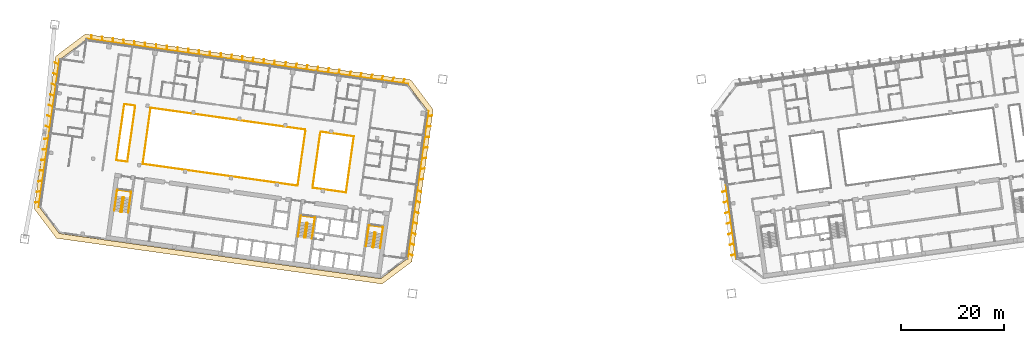
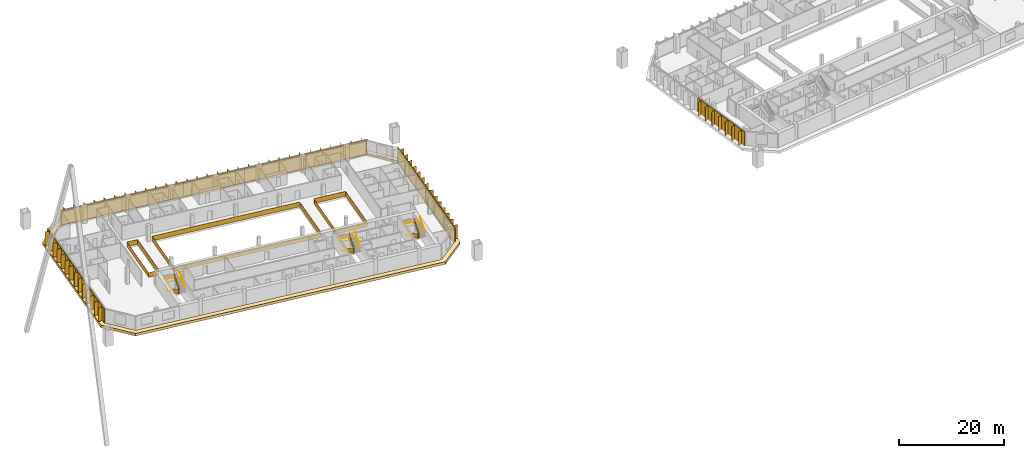
# One storey, part 32 of 33: 11 railings, 10 shading devices, 1 covering.
"""IFC4 building model written with IfcOpenShell, lengths in metres."""

from ifc_helpers import new_model, si_unit, direction, frame, origin, origin_2d, place, context, subcontext, project, spatial, polyline, rectangle, outline, extrude, material, layer, layer_set, type_object, element, save


model = new_model("IFC4")

# Units and contexts
model_context = context("Model", 3, precision=1e-05, world=origin(), true_north=direction((0.0, 1.0)))
body_context = subcontext(model_context, "Body", "Model", "MODEL_VIEW")
ifc_project = project(units=[si_unit("LENGTHUNIT", "METRE"), si_unit("AREAUNIT", "SQUARE_METRE"), si_unit("VOLUMEUNIT", "CUBIC_METRE"), si_unit("PLANEANGLEUNIT", "RADIAN"), si_unit("MASSUNIT", "GRAM", prefix="KILO")], contexts=[model_context])

# Site, building, storey
site_placement = place(None, origin())
site = spatial("IfcSite", under=ifc_project, at=site_placement, CompositionType="ELEMENT")
building_placement = place(site_placement, origin())
building = spatial("IfcBuilding", under=site, at=building_placement, Name="Mirante Cascada Hotel Towers", CompositionType="ELEMENT")
storey_placement = place(building_placement, frame((0.0, 0.0, 121.5)))
storey = spatial("IfcBuildingStorey", under=building, at=storey_placement, Name="L27", CompositionType="ELEMENT", Elevation=121.5)

# Railings
ifc_material_1 = material(Name="Toughened glass with stainless steel handrail", Category="steel")
railing_type_1 = type_object("IfcRailingType", Name="Atrium guard 1100 glass balustrade", PredefinedType="GUARDRAIL", material=ifc_material_1)
railing_1_placement = place(storey_placement, frame((-48.76, 8.3112, 0.0)))
element("IfcRailing", 1, at=railing_1_placement, inside=storey, type_object=railing_type_1, Name="GUARD 1-L27-1", PredefinedType="GUARDRAIL", context=body_context, shape_type="SweptSolid", body=[
    extrude(rectangle(XDim=0.048, YDim=0.048, at=origin_2d()), frame((0.0, 0.0, 1.076), z_axis=(0.9902694, -0.1391638, 0.0), x_axis=(0.1391638, 0.9902694, 0.0)), (0.0, 0.0, 1.0), 6.5125),
    extrude(rectangle(XDim=0.02, YDim=1.052, at=origin_2d()), frame((0.0, 0.0, 0.526), z_axis=(0.9902694, -0.1391638, 0.0), x_axis=(0.1391638, 0.9902694, 0.0)), (0.0, 0.0, 1.0), 6.5125),
    extrude(rectangle(XDim=0.048, YDim=0.048, at=origin_2d()), frame((6.4491, -0.9063, 1.076), z_axis=(-0.1391721, -0.9902682, 0.0), x_axis=(0.9902682, -0.1391721, 0.0)), (0.0, 0.0, 1.0), 11.0001),
    extrude(rectangle(XDim=0.02, YDim=1.052, at=origin_2d()), frame((6.4491, -0.9063, 0.526), z_axis=(-0.1391721, -0.9902682, 0.0), x_axis=(0.9902682, -0.1391721, 0.0)), (0.0, 0.0, 1.0), 11.0001),
    extrude(rectangle(XDim=0.048, YDim=0.048, at=origin_2d()), frame((4.9182, -11.7993, 1.076), z_axis=(-0.9902673, 0.1391788, 0.0), x_axis=(-0.1391788, -0.9902673, 0.0)), (0.0, 0.0, 1.0), 6.5125),
    extrude(rectangle(XDim=0.02, YDim=1.052, at=origin_2d()), frame((4.9182, -11.7993, 0.526), z_axis=(-0.9902673, 0.1391788, 0.0), x_axis=(-0.1391788, -0.9902673, 0.0)), (0.0, 0.0, 1.0), 6.5125),
])
railing_2_placement = place(storey_placement, frame((-53.2617, -2.1642, 0.0)))
element("IfcRailing", 2, at=railing_2_placement, inside=storey, type_object=railing_type_1, Name="GUARD 1-L27-2", PredefinedType="GUARDRAIL", context=body_context, shape_type="SweptSolid", body=[
    extrude(rectangle(XDim=0.048, YDim=0.048, at=origin_2d()), frame((0.0, 0.0, 1.076), z_axis=(-0.9902682, 0.1391722, 0.0), x_axis=(-0.1391722, -0.9902682, 0.0)), (0.0, 0.0, 1.0), 30.325),
    extrude(rectangle(XDim=0.02, YDim=1.052, at=origin_2d()), frame((0.0, 0.0, 0.526), z_axis=(-0.9902682, 0.1391722, 0.0), x_axis=(-0.1391722, -0.9902682, 0.0)), (0.0, 0.0, 1.0), 30.325),
    extrude(rectangle(XDim=0.048, YDim=0.048, at=origin_2d()), frame((-30.0299, 4.2204, 1.076), z_axis=(0.1391721, 0.9902682, 0.0), x_axis=(-0.9902682, 0.1391721, 0.0)), (0.0, 0.0, 1.0), 11.0001),
    extrude(rectangle(XDim=0.02, YDim=1.052, at=origin_2d()), frame((-30.0299, 4.2204, 0.526), z_axis=(0.1391721, 0.9902682, 0.0), x_axis=(-0.9902682, 0.1391721, 0.0)), (0.0, 0.0, 1.0), 11.0001),
    extrude(rectangle(XDim=0.048, YDim=0.048, at=origin_2d()), frame((-28.499, 15.1134, 1.076), z_axis=(0.9902682, -0.1391722, 0.0), x_axis=(0.1391722, 0.9902682, 0.0)), (0.0, 0.0, 1.0), 30.325),
    extrude(rectangle(XDim=0.02, YDim=1.052, at=origin_2d()), frame((-28.499, 15.1134, 0.526), z_axis=(0.9902682, -0.1391722, 0.0), x_axis=(0.1391722, 0.9902682, 0.0)), (0.0, 0.0, 1.0), 30.325),
])
railing_3_placement = place(storey_placement, frame((-86.2624, 2.4738, 0.0)))
element("IfcRailing", 3, at=railing_3_placement, inside=storey, type_object=railing_type_1, Name="GUARD 1-L27-3", PredefinedType="GUARDRAIL", context=body_context, shape_type="SweptSolid", body=[
    extrude(rectangle(XDim=0.048, YDim=0.048, at=origin_2d()), frame((0.0, 0.0, 1.076), z_axis=(-0.9902724, 0.1391422, 0.0), x_axis=(-0.1391422, -0.9902724, 0.0)), (0.0, 0.0, 1.0), 2.1625),
    extrude(rectangle(XDim=0.02, YDim=1.052, at=origin_2d()), frame((0.0, 0.0, 0.526), z_axis=(-0.9902724, 0.1391422, 0.0), x_axis=(-0.1391422, -0.9902724, 0.0)), (0.0, 0.0, 1.0), 2.1625),
    extrude(rectangle(XDim=0.048, YDim=0.048, at=origin_2d()), frame((-2.1415, 0.3009, 1.076), z_axis=(0.1391721, 0.9902682, 0.0), x_axis=(-0.9902682, 0.1391721, 0.0)), (0.0, 0.0, 1.0), 11.0001),
    extrude(rectangle(XDim=0.02, YDim=1.052, at=origin_2d()), frame((-2.1415, 0.3009, 0.526), z_axis=(0.1391721, 0.9902682, 0.0), x_axis=(-0.9902682, 0.1391721, 0.0)), (0.0, 0.0, 1.0), 11.0001),
    extrude(rectangle(XDim=0.048, YDim=0.048, at=origin_2d()), frame((-0.6106, 11.1939, 1.076), z_axis=(0.990266, -0.1391875, 0.0), x_axis=(0.1391875, 0.990266, 0.0)), (0.0, 0.0, 1.0), 2.1626),
    extrude(rectangle(XDim=0.02, YDim=1.052, at=origin_2d()), frame((-0.6106, 11.1939, 0.526), z_axis=(0.990266, -0.1391875, 0.0), x_axis=(0.1391875, 0.990266, 0.0)), (0.0, 0.0, 1.0), 2.1626),
    extrude(rectangle(XDim=0.048, YDim=0.048, at=origin_2d()), frame((1.5309, 10.8929, 1.076), z_axis=(-0.1391733, -0.990268, 0.0), x_axis=(0.990268, -0.1391733, 0.0)), (0.0, 0.0, 1.0), 11.0),
    extrude(rectangle(XDim=0.02, YDim=1.052, at=origin_2d()), frame((1.5309, 10.8929, 0.526), z_axis=(-0.1391733, -0.990268, 0.0), x_axis=(0.990268, -0.1391733, 0.0)), (0.0, 0.0, 1.0), 11.0),
])
railing_4_placement = place(storey_placement, frame((-53.172, -1.8782, 0.0)))
element("IfcRailing", 4, at=railing_4_placement, inside=storey, type_object=railing_type_1, Name="GUARD 1-L27-4", PredefinedType="GUARDRAIL", context=body_context, shape_type="SweptSolid", body=[
    extrude(rectangle(XDim=0.048, YDim=0.048, at=origin_2d()), frame((0.0, 0.0, 1.076), z_axis=(0.1391721, 0.9902682, 0.0), x_axis=(-0.9902682, 0.1391721, 0.0)), (0.0, 0.0, 1.0), 10.4087),
    extrude(rectangle(XDim=0.02, YDim=1.052, at=origin_2d()), frame((0.0, 0.0, 0.526), z_axis=(0.1391721, 0.9902682, 0.0), x_axis=(-0.9902682, 0.1391721, 0.0)), (0.0, 0.0, 1.0), 10.4087),
])
railing_5_placement = place(storey_placement, frame((-48.8497, 8.0253, 0.0)))
element("IfcRailing", 5, at=railing_5_placement, inside=storey, type_object=railing_type_1, Name="GUARD 1-L27-5", PredefinedType="GUARDRAIL", context=body_context, shape_type="SweptSolid", body=[
    extrude(rectangle(XDim=0.048, YDim=0.048, at=origin_2d()), frame((0.0, 0.0, 1.076), z_axis=(-0.1391708, -0.9902684, 0.0), x_axis=(0.9902684, -0.1391708, 0.0)), (0.0, 0.0, 1.0), 10.4088),
    extrude(rectangle(XDim=0.02, YDim=1.052, at=origin_2d()), frame((0.0, 0.0, 0.526), z_axis=(-0.1391708, -0.9902684, 0.0), x_axis=(0.9902684, -0.1391708, 0.0)), (0.0, 0.0, 1.0), 10.4088),
])

# Covering
ifc_material_2 = material(Name="Precast concrete C40/50 white", Category="concrete")
ifc_layer = layer(ifc_material_2, 0.6)
ifc_layer_set = layer_set([ifc_layer], Name="Precast concrete SUNSHADE band 1000x600")
covering_type = type_object("IfcCoveringType", Name="Precast concrete SUNSHADE band 1000x600", PredefinedType="CLADDING", material=ifc_layer_set)
covering_placement = place(storey_placement, frame((0.0, 0.0, -0.45)))
element("IfcCovering", 6, at=covering_placement, inside=storey, type_object=covering_type, Name="Precast concrete SUNSHADE band T1 L27", PredefinedType="CLADDING", context=body_context, shape_type="SweptSolid", body=[
    extrude(outline(polyline([(-104.3652, -6.6094), (-100.2139, 22.9287), (-94.4698, 27.2572), (-31.2626, 18.374), (-26.9341, 12.6299), (-31.0854, -16.9082), (-36.8295, -21.2367), (-100.0367, -12.3535), (-104.3652, -6.6094)]), holes=[polyline([(-27.982, 12.3589), (-31.8119, 17.4414), (-94.1988, 26.2093), (-99.2813, 22.3794), (-103.3173, -6.3384), (-99.4874, -11.4209), (-37.1005, -20.1888), (-32.018, -16.3589), (-27.982, 12.3589)])]), origin(), (0.0, 0.0, 1.0), 0.6),
])

# Railings
ifc_material_3 = material(Name="Painted steel", Category="steel")
railing_type_2 = type_object("IfcRailingType", Name="Stair guard 1100 steel balustrade", PredefinedType="GUARDRAIL", material=ifc_material_3)
railing_6_placement = place(storey_placement, frame((-38.1178, -11.2603, 0.0)))
element("IfcRailing", 7, at=railing_6_placement, inside=storey, type_object=railing_type_2, Name="L27 ST1-A stair guard 1", PredefinedType="GUARDRAIL", context=body_context, shape_type="SweptSolid", body=[
    extrude(rectangle(XDim=0.048, YDim=0.048, at=origin_2d()), frame((0.0, 0.0, 1.076), z_axis=(-0.9903326, 0.1387133, 0.0), x_axis=(-0.1387133, -0.9903326, 0.0)), (0.0, 0.0, 1.0), 0.1499),
    extrude(rectangle(XDim=0.02, YDim=1.052, at=origin_2d()), frame((0.0, 0.0, 0.526), z_axis=(-0.9903326, 0.1387133, 0.0), x_axis=(-0.1387133, -0.9903326, 0.0)), (0.0, 0.0, 1.0), 0.1499),
    extrude(rectangle(XDim=0.048, YDim=0.048, at=origin_2d()), frame((-0.1485, 0.0208, 1.076), z_axis=(-0.7991505, -0.6011309, 0.0), x_axis=(0.6011309, -0.7991505, 0.0)), (0.0, 0.9254529, 0.3788627), 0.1866),
    extrude(rectangle(XDim=0.02, YDim=1.052, at=origin_2d()), frame((-0.1485, 0.0208, 0.526), z_axis=(-0.7991505, -0.6011309, 0.0), x_axis=(0.6011309, -0.7991505, 0.0)), (0.0, 0.9254529, 0.3788627), 0.1866),
    extrude(rectangle(XDim=0.048, YDim=0.048, at=origin_2d()), frame((-0.205, -0.0217, 1.2487), z_axis=(-0.139176, -0.9902677, 0.0), x_axis=(0.9902677, -0.139176, 0.0)), (0.0, 0.5250212, 0.8510891), 3.29),
    extrude(rectangle(XDim=0.02, YDim=1.052, at=origin_2d()), frame((-0.205, -0.0217, 0.6987), z_axis=(-0.139176, -0.9902677, 0.0), x_axis=(0.9902677, -0.139176, 0.0)), (0.0, 0.5250212, 0.8510891), 3.29),
    extrude(rectangle(XDim=0.048, YDim=0.048, at=origin_2d()), frame((-0.5947, -2.7945, 2.976), z_axis=(0.9270311, -0.3749843, 0.0), x_axis=(0.3749843, 0.9270311, 0.0)), (0.0, 0.0, 1.0), 0.2061),
    extrude(rectangle(XDim=0.02, YDim=1.052, at=origin_2d()), frame((-0.5947, -2.7945, 2.426), z_axis=(0.9270311, -0.3749843, 0.0), x_axis=(0.3749843, 0.9270311, 0.0)), (0.0, 0.0, 1.0), 0.2061),
    extrude(rectangle(XDim=0.048, YDim=0.048, at=origin_2d()), frame((-0.4036, -2.8718, 2.976), z_axis=(-0.9902408, 0.1393672, 0.0), x_axis=(-0.1393672, -0.9902408, 0.0)), (0.0, 0.0, 1.0), 0.15),
    extrude(rectangle(XDim=0.02, YDim=1.052, at=origin_2d()), frame((-0.4036, -2.8718, 2.426), z_axis=(-0.9902408, 0.1393672, 0.0), x_axis=(-0.1393672, -0.9902408, 0.0)), (0.0, 0.0, 1.0), 0.15),
    extrude(rectangle(XDim=0.048, YDim=0.048, at=origin_2d()), frame((-0.5521, -2.8509, 2.976), z_axis=(0.9944948, 0.1047858, 0.0), x_axis=(-0.1047858, 0.9944948, 0.0)), (0.0, 0.6422034, 0.7665343), 0.2689),
    extrude(rectangle(XDim=0.02, YDim=1.052, at=origin_2d()), frame((-0.5521, -2.8509, 2.426), z_axis=(0.9944948, 0.1047858, 0.0), x_axis=(-0.1047858, 0.9944948, 0.0)), (0.0, 0.6422034, 0.7665343), 0.2689),
    extrude(rectangle(XDim=0.048, YDim=0.048, at=origin_2d()), frame((-0.3471, -2.8293, 3.1487), z_axis=(0.139176, 0.9902677, 0.0), x_axis=(-0.9902677, 0.139176, 0.0)), (0.0, 0.5250212, 0.8510891), 3.29),
    extrude(rectangle(XDim=0.02, YDim=1.052, at=origin_2d()), frame((-0.3471, -2.8293, 2.5987), z_axis=(0.139176, 0.9902677, 0.0), x_axis=(-0.9902677, 0.139176, 0.0)), (0.0, 0.5250212, 0.8510891), 3.29),
])
railing_7_placement = place(storey_placement, frame((-51.3379, -9.4024, 0.0)))
element("IfcRailing", 8, at=railing_7_placement, inside=storey, type_object=railing_type_2, Name="L27 ST1-B stair guard 1", PredefinedType="GUARDRAIL", context=body_context, shape_type="SweptSolid", body=[
    extrude(rectangle(XDim=0.048, YDim=0.048, at=origin_2d()), frame((0.0, 0.0, 1.076), z_axis=(-0.9902408, 0.1393672, 0.0), x_axis=(-0.1393672, -0.9902408, 0.0)), (0.0, 0.0, 1.0), 0.15),
    extrude(rectangle(XDim=0.02, YDim=1.052, at=origin_2d()), frame((0.0, 0.0, 0.526), z_axis=(-0.9902408, 0.1393672, 0.0), x_axis=(-0.1393672, -0.9902408, 0.0)), (0.0, 0.0, 1.0), 0.15),
    extrude(rectangle(XDim=0.048, YDim=0.048, at=origin_2d()), frame((-0.1485, 0.0209, 1.076), z_axis=(-0.7984711, -0.6020331, 0.0), x_axis=(0.6020331, -0.7984711, 0.0)), (0.0, 0.9253398, 0.3791387), 0.1866),
    extrude(rectangle(XDim=0.02, YDim=1.052, at=origin_2d()), frame((-0.1485, 0.0209, 0.526), z_axis=(-0.7984711, -0.6020331, 0.0), x_axis=(0.6020331, -0.7984711, 0.0)), (0.0, 0.9253398, 0.3791387), 0.1866),
    extrude(rectangle(XDim=0.048, YDim=0.048, at=origin_2d()), frame((-0.205, -0.0217, 1.2487), z_axis=(-0.139181, -0.990267, 0.0), x_axis=(0.990267, -0.139181, 0.0)), (0.0, 0.5250347, 0.8510808), 3.2899),
    extrude(rectangle(XDim=0.02, YDim=1.052, at=origin_2d()), frame((-0.205, -0.0217, 0.6987), z_axis=(-0.139181, -0.990267, 0.0), x_axis=(0.990267, -0.139181, 0.0)), (0.0, 0.5250347, 0.8510808), 3.2899),
    extrude(rectangle(XDim=0.048, YDim=0.048, at=origin_2d()), frame((-0.5947, -2.7944, 2.976), z_axis=(0.9268624, -0.3754011, 0.0), x_axis=(0.3754011, 0.9268624, 0.0)), (0.0, 0.0, 1.0), 0.2062),
    extrude(rectangle(XDim=0.02, YDim=1.052, at=origin_2d()), frame((-0.5947, -2.7944, 2.426), z_axis=(0.9268624, -0.3754011, 0.0), x_axis=(0.3754011, 0.9268624, 0.0)), (0.0, 0.0, 1.0), 0.2062),
    extrude(rectangle(XDim=0.048, YDim=0.048, at=origin_2d()), frame((-0.4036, -2.8718, 2.976), z_axis=(-0.9902408, 0.1393672, 0.0), x_axis=(-0.1393672, -0.9902408, 0.0)), (0.0, 0.0, 1.0), 0.15),
    extrude(rectangle(XDim=0.02, YDim=1.052, at=origin_2d()), frame((-0.4036, -2.8718, 2.426), z_axis=(-0.9902408, 0.1393672, 0.0), x_axis=(-0.1393672, -0.9902408, 0.0)), (0.0, 0.0, 1.0), 0.15),
    extrude(rectangle(XDim=0.048, YDim=0.048, at=origin_2d()), frame((-0.5521, -2.8509, 2.976), z_axis=(0.9944441, 0.1052656, 0.0), x_axis=(-0.1052656, 0.9944441, 0.0)), (0.0, 0.6421842, 0.7665504), 0.2689),
    extrude(rectangle(XDim=0.02, YDim=1.052, at=origin_2d()), frame((-0.5521, -2.8509, 2.426), z_axis=(0.9944441, 0.1052656, 0.0), x_axis=(-0.1052656, 0.9944441, 0.0)), (0.0, 0.6421842, 0.7665504), 0.2689),
    extrude(rectangle(XDim=0.048, YDim=0.048, at=origin_2d()), frame((-0.3471, -2.8292, 3.1487), z_axis=(0.139181, 0.990267, 0.0), x_axis=(-0.990267, 0.139181, 0.0)), (0.0, 0.5250347, 0.8510808), 3.2899),
    extrude(rectangle(XDim=0.02, YDim=1.052, at=origin_2d()), frame((-0.3471, -2.8292, 2.5987), z_axis=(0.139181, 0.990267, 0.0), x_axis=(-0.990267, 0.139181, 0.0)), (0.0, 0.5250347, 0.8510808), 3.2899),
])
railing_8_placement = place(storey_placement, frame((-86.9875, -4.3922, 0.0)))
element("IfcRailing", 9, at=railing_8_placement, inside=storey, type_object=railing_type_2, Name="L27 ST1-C stair guard 1", PredefinedType="GUARDRAIL", context=body_context, shape_type="SweptSolid", body=[
    extrude(rectangle(XDim=0.048, YDim=0.048, at=origin_2d()), frame((0.0, 0.0, 1.076), z_axis=(-0.9902537, 0.1392753, 0.0), x_axis=(-0.1392753, -0.9902537, 0.0)), (0.0, 0.0, 1.0), 0.1501),
    extrude(rectangle(XDim=0.02, YDim=1.052, at=origin_2d()), frame((0.0, 0.0, 0.526), z_axis=(-0.9902537, 0.1392753, 0.0), x_axis=(-0.1392753, -0.9902537, 0.0)), (0.0, 0.0, 1.0), 0.1501),
    extrude(rectangle(XDim=0.048, YDim=0.048, at=origin_2d()), frame((-0.1486, 0.0209, 1.076), z_axis=(-0.7986386, -0.601811, 0.0), x_axis=(0.601811, -0.7986386, 0.0)), (0.0, 0.925603, 0.3784959), 0.1866),
    extrude(rectangle(XDim=0.02, YDim=1.052, at=origin_2d()), frame((-0.1486, 0.0209, 0.526), z_axis=(-0.7986386, -0.601811, 0.0), x_axis=(0.601811, -0.7986386, 0.0)), (0.0, 0.925603, 0.3784959), 0.1866),
    extrude(rectangle(XDim=0.048, YDim=0.048, at=origin_2d()), frame((-0.205, -0.0216, 1.2487), z_axis=(-0.139176, -0.9902677, 0.0), x_axis=(0.9902677, -0.139176, 0.0)), (0.0, 0.5250212, 0.8510891), 3.29),
    extrude(rectangle(XDim=0.02, YDim=1.052, at=origin_2d()), frame((-0.205, -0.0216, 0.6987), z_axis=(-0.139176, -0.9902677, 0.0), x_axis=(0.9902677, -0.139176, 0.0)), (0.0, 0.5250212, 0.8510891), 3.29),
    extrude(rectangle(XDim=0.048, YDim=0.048, at=origin_2d()), frame((-0.5947, -2.7944, 2.976), z_axis=(0.9270311, -0.3749843, 0.0), x_axis=(0.3749843, 0.9270311, 0.0)), (0.0, 0.0, 1.0), 0.2061),
    extrude(rectangle(XDim=0.02, YDim=1.052, at=origin_2d()), frame((-0.5947, -2.7944, 2.426), z_axis=(0.9270311, -0.3749843, 0.0), x_axis=(0.3749843, 0.9270311, 0.0)), (0.0, 0.0, 1.0), 0.2061),
    extrude(rectangle(XDim=0.048, YDim=0.048, at=origin_2d()), frame((-0.4036, -2.8717, 2.976), z_axis=(-0.9903454, 0.1386217, 0.0), x_axis=(-0.1386217, -0.9903454, 0.0)), (0.0, 0.0, 1.0), 0.15),
    extrude(rectangle(XDim=0.02, YDim=1.052, at=origin_2d()), frame((-0.4036, -2.8717, 2.426), z_axis=(-0.9903454, 0.1386217, 0.0), x_axis=(-0.1386217, -0.9903454, 0.0)), (0.0, 0.0, 1.0), 0.15),
    extrude(rectangle(XDim=0.048, YDim=0.048, at=origin_2d()), frame((-0.5522, -2.8509, 2.976), z_axis=(0.9944441, 0.1052656, 0.0), x_axis=(-0.1052656, 0.9944441, 0.0)), (0.0, 0.6421842, 0.7665504), 0.2689),
    extrude(rectangle(XDim=0.02, YDim=1.052, at=origin_2d()), frame((-0.5522, -2.8509, 2.426), z_axis=(0.9944441, 0.1052656, 0.0), x_axis=(-0.1052656, 0.9944441, 0.0)), (0.0, 0.6421842, 0.7665504), 0.2689),
    extrude(rectangle(XDim=0.048, YDim=0.048, at=origin_2d()), frame((-0.3472, -2.8292, 3.1487), z_axis=(0.139176, 0.9902677, 0.0), x_axis=(-0.9902677, 0.139176, 0.0)), (0.0, 0.5250212, 0.8510891), 3.29),
    extrude(rectangle(XDim=0.02, YDim=1.052, at=origin_2d()), frame((-0.3472, -2.8292, 2.5987), z_axis=(0.139176, 0.9902677, 0.0), x_axis=(-0.9902677, 0.139176, 0.0)), (0.0, 0.5250212, 0.8510891), 3.29),
])
ifc_material_4 = material(Name="Painted steel", Category="steel")
railing_type_3 = type_object("IfcRailingType", Name="Stair handrail 900 steel tube", PredefinedType="HANDRAIL", material=ifc_material_4)
railing_9_placement = place(storey_placement, frame((-39.5606, -11.1081, 0.1727)))
element("IfcRailing", 10, at=railing_9_placement, inside=storey, type_object=railing_type_3, Name="L27 ST1-A stair handrail 1", PredefinedType="HANDRAIL", context=body_context, shape_type="SweptSolid", body=[
    extrude(rectangle(XDim=0.048, YDim=0.048, at=origin_2d()), frame((0.0, 0.0, 0.876), z_axis=(-0.139181, -0.990267, 0.0), x_axis=(0.990267, -0.139181, 0.0)), (0.0, 0.5250347, 0.8510808), 3.2899),
    extrude(rectangle(XDim=0.048, YDim=0.048, at=origin_2d()), frame((-0.3897, -2.7727, 2.6033), z_axis=(0.1391707, 0.9902684, 0.0), x_axis=(-0.9902684, 0.1391707, 0.0)), (0.0, 0.0420846, 0.999114), 4.1036),
    extrude(rectangle(XDim=0.048, YDim=0.048, at=origin_2d()), frame((0.1809, 1.2874, 2.776), z_axis=(0.9902691, -0.1391657, 0.0), x_axis=(0.1391657, 0.9902691, 0.0)), (0.0, 0.0, 1.0), 2.75),
    extrude(rectangle(XDim=0.048, YDim=0.048, at=origin_2d()), frame((2.9041, 0.9047, 2.776), z_axis=(-0.1391707, -0.9902684, 0.0), x_axis=(0.9902684, -0.1391707, 0.0)), (0.0, 0.0, 1.0), 4.1),
    extrude(rectangle(XDim=0.048, YDim=0.048, at=origin_2d()), frame((2.3335, -3.1554, 2.776), z_axis=(0.139181, 0.990267, 0.0), x_axis=(-0.990267, 0.139181, 0.0)), (0.0, 0.5250347, 0.8510808), 3.2899),
])
railing_10_placement = place(storey_placement, frame((-52.7807, -9.2501, 0.1727)))
element("IfcRailing", 11, at=railing_10_placement, inside=storey, type_object=railing_type_3, Name="L27 ST1-B stair handrail 1", PredefinedType="HANDRAIL", context=body_context, shape_type="SweptSolid", body=[
    extrude(rectangle(XDim=0.048, YDim=0.048, at=origin_2d()), frame((0.0, 0.0, 0.876), z_axis=(-0.139181, -0.990267, 0.0), x_axis=(0.990267, -0.139181, 0.0)), (0.0, 0.5250347, 0.8510808), 3.2899),
    extrude(rectangle(XDim=0.048, YDim=0.048, at=origin_2d()), frame((-0.3897, -2.7727, 2.6033), z_axis=(0.1391707, 0.9902684, 0.0), x_axis=(-0.9902684, 0.1391707, 0.0)), (0.0, 0.0420846, 0.999114), 4.1036),
    extrude(rectangle(XDim=0.048, YDim=0.048, at=origin_2d()), frame((0.1809, 1.2874, 2.776), z_axis=(0.9902641, -0.1392013, 0.0), x_axis=(0.1392013, 0.9902641, 0.0)), (0.0, 0.0, 1.0), 2.75),
    extrude(rectangle(XDim=0.048, YDim=0.048, at=origin_2d()), frame((2.9041, 0.9046, 2.776), z_axis=(-0.1391707, -0.9902684, 0.0), x_axis=(0.9902684, -0.1391707, 0.0)), (0.0, 0.0, 1.0), 4.1),
    extrude(rectangle(XDim=0.048, YDim=0.048, at=origin_2d()), frame((2.3335, -3.1555, 2.776), z_axis=(0.139176, 0.9902677, 0.0), x_axis=(-0.9902677, 0.139176, 0.0)), (0.0, 0.5250212, 0.8510891), 3.29),
])
railing_11_placement = place(storey_placement, frame((-88.4304, -4.2399, 0.1727)))
element("IfcRailing", 12, at=railing_11_placement, inside=storey, type_object=railing_type_3, Name="L27 ST1-C stair handrail 1", PredefinedType="HANDRAIL", context=body_context, shape_type="SweptSolid", body=[
    extrude(rectangle(XDim=0.048, YDim=0.048, at=origin_2d()), frame((0.0, 0.0, 0.876), z_axis=(-0.139181, -0.990267, 0.0), x_axis=(0.990267, -0.139181, 0.0)), (0.0, 0.5250347, 0.8510808), 3.2899),
    extrude(rectangle(XDim=0.048, YDim=0.048, at=origin_2d()), frame((-0.3897, -2.7727, 2.6033), z_axis=(0.1391947, 0.990265, 0.0), x_axis=(-0.990265, 0.1391947, 0.0)), (0.0, 0.0420845, 0.9991141), 4.1036),
    extrude(rectangle(XDim=0.048, YDim=0.048, at=origin_2d()), frame((0.181, 1.2874, 2.776), z_axis=(0.9902691, -0.1391657, 0.0), x_axis=(0.1391657, 0.9902691, 0.0)), (0.0, 0.0, 1.0), 2.75),
    extrude(rectangle(XDim=0.048, YDim=0.048, at=origin_2d()), frame((2.9042, 0.9047, 2.776), z_axis=(-0.1391707, -0.9902684, 0.0), x_axis=(0.9902684, -0.1391707, 0.0)), (0.0, 0.0, 1.0), 4.1),
    extrude(rectangle(XDim=0.048, YDim=0.048, at=origin_2d()), frame((2.3336, -3.1554, 2.776), z_axis=(0.139181, 0.990267, 0.0), x_axis=(-0.990267, 0.139181, 0.0)), (0.0, 0.5250347, 0.8510808), 3.2899),
])

# Shading devices
ifc_material_5 = material(Name="White precast concrete C50/60 fin", Category="concrete")
shading_device_type = type_object("IfcShadingDeviceType", Name="Vertical fin set 4500x900", PredefinedType="USERDEFINED", material=ifc_material_5)
shading_device_1_placement = place(storey_placement, origin())
element("IfcShadingDevice", 13, at=shading_device_1_placement, inside=storey, type_object=shading_device_type, Name="FIN T1 L27 front 1", ObjectType="FIN", PredefinedType="USERDEFINED", context=body_context, shape_type="SweptSolid", body=[
    extrude(outline(polyline([(-82.8173, 25.599), (-82.7126, 24.7465), (-81.7006, 24.6042), (-81.7214, 24.4557), (-94.1988, 26.2093), (-94.1779, 26.3578), (-93.1924, 26.2193), (-93.2945, 27.0506), (-93.2151, 27.0603), (-93.1104, 26.2078), (-91.1129, 25.9271), (-91.2149, 26.7583), (-91.1355, 26.7681), (-91.0308, 25.9155), (-89.0333, 25.6348), (-89.1354, 26.4661), (-89.056, 26.4758), (-88.9513, 25.6233), (-86.9537, 25.3425), (-87.0558, 26.1738), (-86.9764, 26.1835), (-86.8717, 25.331), (-84.8742, 25.0503), (-84.9762, 25.8815), (-84.8968, 25.8913), (-84.7922, 25.0387), (-82.7946, 24.758), (-82.8967, 25.5893), (-82.8173, 25.599)])), origin(), (0.0, 0.0, 1.0), 3.35),
])
shading_device_2_placement = place(storey_placement, origin())
element("IfcShadingDevice", 14, at=shading_device_2_placement, inside=storey, type_object=shading_device_type, Name="FIN T1 L27 front 2", ObjectType="FIN", PredefinedType="USERDEFINED", context=body_context, shape_type="SweptSolid", body=[
    extrude(outline(polyline([(-70.2221, 23.8469), (-70.2295, 22.9921), (-69.2232, 22.8507), (-69.2441, 22.7021), (-81.7214, 24.4557), (-81.7006, 24.6042), (-80.7072, 24.4646), (-80.6999, 25.3089), (-80.6199, 25.3082), (-80.6273, 24.4534), (-78.6277, 24.1724), (-78.6203, 25.0166), (-78.5403, 25.0159), (-78.5478, 24.1611), (-76.5481, 23.8801), (-76.5407, 24.7244), (-76.4608, 24.7237), (-76.4682, 23.8689), (-74.4686, 23.5878), (-74.4612, 24.4321), (-74.3812, 24.4314), (-74.3886, 23.5766), (-72.389, 23.2956), (-72.3816, 24.1399), (-72.3016, 24.1392), (-72.3091, 23.2844), (-70.3094, 23.0033), (-70.3021, 23.8476), (-70.2221, 23.8469)])), origin(), (0.0, 0.0, 1.0), 3.35),
])
shading_device_3_placement = place(storey_placement, origin())
element("IfcShadingDevice", 15, at=shading_device_3_placement, inside=storey, type_object=shading_device_type, Name="FIN T1 L27 front 3", ObjectType="FIN", PredefinedType="USERDEFINED", context=body_context, shape_type="SweptSolid", body=[
    extrude(outline(polyline([(-57.6277, 22.0794), (-57.746, 21.2376), (-56.7458, 21.0971), (-56.7667, 20.9485), (-69.2441, 22.7021), (-69.2232, 22.8507), (-68.223, 22.7101), (-68.1047, 23.5518), (-68.0255, 23.5407), (-68.1438, 22.699), (-66.1434, 22.4178), (-66.0251, 23.2596), (-65.9459, 23.2484), (-66.0642, 22.4067), (-64.0639, 22.1256), (-63.9456, 22.9673), (-63.8664, 22.9562), (-63.9847, 22.1144), (-61.9843, 21.8333), (-61.866, 22.675), (-61.7868, 22.6639), (-61.9051, 21.8222), (-59.9048, 21.541), (-59.7865, 22.3828), (-59.7072, 22.3716), (-59.8255, 21.5299), (-57.8252, 21.2488), (-57.7069, 22.0905), (-57.6277, 22.0794)])), origin(), (0.0, 0.0, 1.0), 3.35),
])
shading_device_4_placement = place(storey_placement, origin())
element("IfcShadingDevice", 16, at=shading_device_4_placement, inside=storey, type_object=shading_device_type, Name="FIN T1 L27 front 4", ObjectType="FIN", PredefinedType="USERDEFINED", context=body_context, shape_type="SweptSolid", body=[
    extrude(outline(polyline([(-45.0361, 20.2967), (-45.2617, 19.4831), (-44.2684, 19.3435), (-44.2893, 19.195), (-56.7667, 20.9485), (-56.7458, 21.0971), (-55.7394, 20.9556), (-55.511, 21.7794), (-55.4339, 21.758), (-55.6595, 20.9444), (-53.6599, 20.6634), (-53.4314, 21.4871), (-53.3544, 21.4657), (-53.58, 20.6521), (-51.5803, 20.3711), (-51.3519, 21.1949), (-51.2748, 21.1735), (-51.5004, 20.3599), (-49.5008, 20.0789), (-49.2723, 20.9026), (-49.1952, 20.8812), (-49.4209, 20.0676), (-47.4212, 19.7866), (-47.1928, 20.6103), (-47.1157, 20.589), (-47.3413, 19.7754), (-45.3416, 19.4943), (-45.1132, 20.3181), (-45.0361, 20.2967)])), origin(), (0.0, 0.0, 1.0), 3.35),
])
shading_device_5_placement = place(storey_placement, origin())
element("IfcShadingDevice", 17, at=shading_device_5_placement, inside=storey, type_object=shading_device_type, Name="FIN T1 L27 front 5", ObjectType="FIN", PredefinedType="USERDEFINED", context=body_context, shape_type="SweptSolid", body=[
    extrude(outline(polyline([(-32.4493, 18.4994), (-32.7765, 17.7284), (-31.791, 17.5899), (-31.8119, 17.4414), (-44.2893, 19.195), (-44.2684, 19.3435), (-43.2564, 19.2013), (-42.9208, 19.9919), (-42.8471, 19.9607), (-43.1744, 19.1897), (-41.1768, 18.909), (-40.8412, 19.6997), (-40.7676, 19.6684), (-41.0948, 18.8975), (-39.0973, 18.6167), (-38.7616, 19.4074), (-38.688, 19.3761), (-39.0152, 18.6052), (-37.0177, 18.3245), (-36.6821, 19.1151), (-36.6084, 19.0839), (-36.9357, 18.3129), (-34.9381, 18.0322), (-34.6025, 18.8229), (-34.5289, 18.7916), (-34.8561, 18.0207), (-32.8586, 17.7399), (-32.5229, 18.5306), (-32.4493, 18.4994)])), origin(), (0.0, 0.0, 1.0), 3.35),
])
shading_device_6_placement = place(storey_placement, origin())
element("IfcShadingDevice", 18, at=shading_device_6_placement, inside=storey, type_object=shading_device_type, Name="FIN T1 L27 inner 1", ObjectType="FIN", PredefinedType="USERDEFINED", context=body_context, shape_type="SweptSolid", body=[
    extrude(outline(polyline([(-29.7112, -1.023), (-29.8515, -2.0209), (-30.0, -2.0), (-27.982, 12.3589), (-27.8334, 12.338), (-27.97, 11.3667), (-27.1387, 11.4687), (-27.1289, 11.3893), (-27.9815, 11.2846), (-28.2583, 9.3154), (-27.427, 9.4174), (-27.4172, 9.338), (-28.2698, 9.2334), (-28.5465, 7.2641), (-27.7153, 7.3662), (-27.7055, 7.2868), (-28.5581, 7.1821), (-28.8348, 5.2128), (-28.0036, 5.3149), (-27.9938, 5.2355), (-28.8464, 5.1308), (-29.1231, 3.1616), (-28.2918, 3.2636), (-28.2821, 3.1842), (-29.1346, 3.0796), (-29.4114, 1.1103), (-28.5801, 1.2124), (-28.5704, 1.133), (-29.4229, 1.0283), (-29.6997, -0.941), (-28.8684, -0.8389), (-28.8587, -0.9183), (-29.7112, -1.023)])), origin(), (0.0, 0.0, 1.0), 3.35),
])
shading_device_7_placement = place(storey_placement, origin())
element("IfcShadingDevice", 19, at=shading_device_7_placement, inside=storey, type_object=shading_device_type, Name="FIN T1 L27 inner 2", ObjectType="FIN", PredefinedType="USERDEFINED", context=body_context, shape_type="SweptSolid", body=[
    extrude(outline(polyline([(-31.733, -15.4084), (-31.8695, -16.3798), (-32.018, -16.3589), (-30.0, -2.0), (-29.8515, -2.0209), (-29.9917, -3.0188), (-29.201, -3.3544), (-29.2323, -3.428), (-30.0032, -3.1008), (-30.28, -5.07), (-29.4893, -5.4057), (-29.5206, -5.4793), (-30.2915, -5.1521), (-30.5683, -7.1213), (-29.7776, -7.4569), (-29.8089, -7.5306), (-30.5798, -7.2033), (-30.8566, -9.1726), (-30.0659, -9.5082), (-30.0972, -9.5818), (-30.8681, -9.2546), (-31.1449, -11.2238), (-30.3542, -11.5595), (-30.3854, -11.6331), (-31.1564, -11.3059), (-31.4331, -13.2751), (-30.6425, -13.6107), (-30.6737, -13.6844), (-31.4447, -13.3571), (-31.7214, -15.3264), (-30.9308, -15.662), (-30.962, -15.7356), (-31.733, -15.4084)])), origin(), (0.0, 0.0, 1.0), 3.35),
])
shading_device_8_placement = place(storey_placement, origin())
element("IfcShadingDevice", 20, at=shading_device_8_placement, inside=storey, type_object=shading_device_type, Name="FIN T1 L27 outer 1", ObjectType="FIN", PredefinedType="USERDEFINED", context=body_context, shape_type="SweptSolid", body=[
    extrude(outline(polyline([(-103.3178, -5.2642), (-103.041, -3.2949), (-103.8723, -3.397), (-103.8821, -3.3176), (-103.0295, -3.2129), (-102.7528, -1.2436), (-103.584, -1.3457), (-103.5938, -1.2663), (-102.7412, -1.1616), (-102.4645, 0.8076), (-103.2957, 0.7056), (-103.3055, 0.785), (-102.4529, 0.8896), (-102.1762, 2.8589), (-103.0075, 2.7568), (-103.0172, 2.8362), (-102.1647, 2.9409), (-101.8879, 4.9102), (-102.7192, 4.8081), (-102.7289, 4.8875), (-101.8764, 4.9922), (-101.5996, 6.9614), (-102.4309, 6.8594), (-102.4406, 6.9388), (-101.5881, 7.0434), (-101.4478, 8.0413), (-101.2993, 8.0205), (-103.3173, -6.3384), (-103.4659, -6.3175), (-103.3293, -5.3462), (-104.1606, -5.4483), (-104.1704, -5.3689), (-103.3178, -5.2642)])), origin(), (0.0, 0.0, 1.0), 3.35),
])
shading_device_9_placement = place(storey_placement, origin())
element("IfcShadingDevice", 21, at=shading_device_9_placement, inside=storey, type_object=shading_device_type, Name="FIN T1 L27 outer 2", ObjectType="FIN", PredefinedType="USERDEFINED", context=body_context, shape_type="SweptSolid", body=[
    extrude(outline(polyline([(-101.2961, 9.1212), (-101.0193, 11.0905), (-101.81, 11.4261), (-101.7787, 11.4998), (-101.0078, 11.1725), (-100.731, 13.1418), (-101.5217, 13.4774), (-101.4904, 13.551), (-100.7195, 13.2238), (-100.4427, 15.193), (-101.2334, 15.5287), (-101.2021, 15.6023), (-100.4312, 15.2751), (-100.1544, 17.2443), (-100.9451, 17.5799), (-100.9139, 17.6536), (-100.1429, 17.3263), (-99.8662, 19.2956), (-100.6568, 19.6312), (-100.6256, 19.7048), (-99.8546, 19.3776), (-99.5779, 21.3469), (-100.3685, 21.6825), (-100.3373, 21.7561), (-99.5663, 21.4289), (-99.4298, 22.4002), (-99.2813, 22.3794), (-101.2993, 8.0205), (-101.4478, 8.0413), (-101.3076, 9.0392), (-102.0983, 9.3749), (-102.067, 9.4485), (-101.2961, 9.1212)])), origin(), (0.0, 0.0, 1.0), 3.35),
])
shading_device_10_placement = place(storey_placement, origin())
element("IfcShadingDevice", 22, at=shading_device_10_placement, inside=storey, type_object=shading_device_type, Name="FIN T2 L27 inner 2", ObjectType="FIN", PredefinedType="USERDEFINED", context=body_context, shape_type="SweptSolid", body=[
    extrude(outline(polyline([(30.9308, -15.662), (31.7214, -15.3264), (31.4447, -13.3571), (30.6737, -13.6844), (30.6425, -13.6107), (31.4331, -13.2751), (31.1564, -11.3059), (30.3854, -11.6331), (30.3542, -11.5595), (31.1449, -11.2238), (30.8681, -9.2546), (30.0972, -9.5818), (30.0659, -9.5082), (30.8566, -9.1726), (30.5798, -7.2033), (29.8089, -7.5306), (29.7776, -7.4569), (30.5683, -7.1213), (30.2915, -5.1521), (29.5206, -5.4793), (29.4893, -5.4057), (30.28, -5.07), (30.0032, -3.1008), (29.2323, -3.428), (29.201, -3.3544), (29.9917, -3.0188), (29.8515, -2.0209), (30.0, -2.0), (32.018, -16.3589), (31.8695, -16.3798), (31.733, -15.4084), (30.962, -15.7356), (30.9308, -15.662)])), origin(), (0.0, 0.0, 1.0), 3.35),
])

save(model, "model.ifc")
